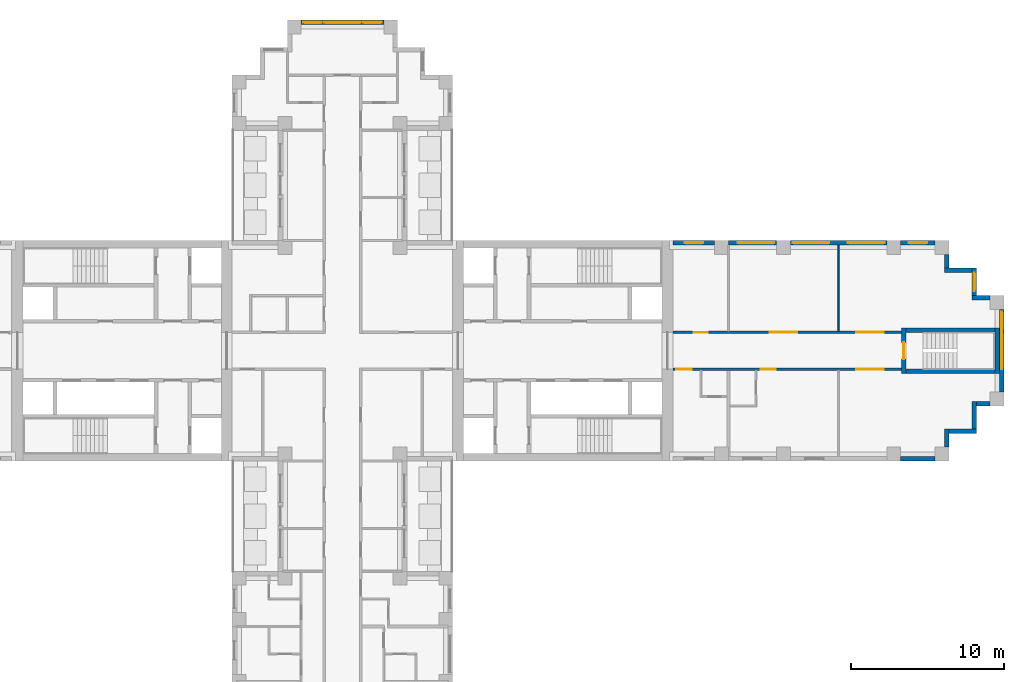
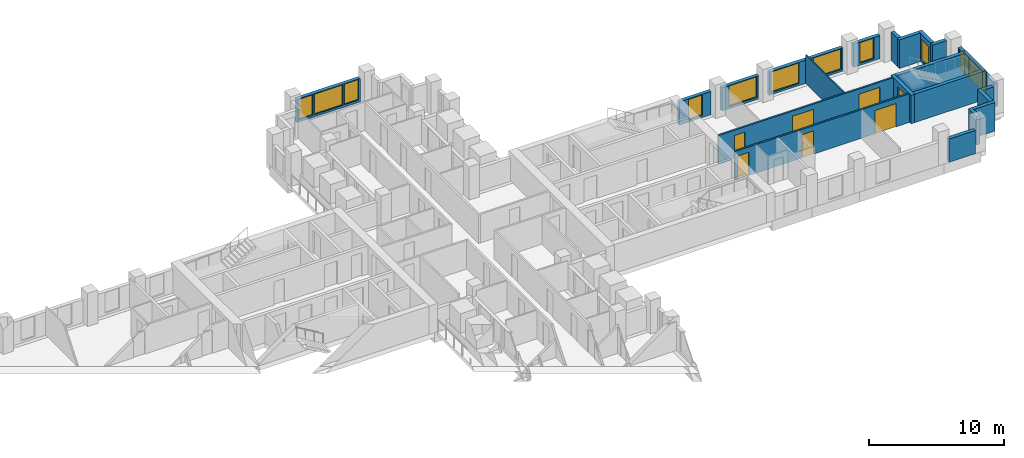
# One storey, part 11 of 14: 22 walls, 11 windows, 7 doors, 18 openings.
"""IFC4 building model written with IfcOpenShell, lengths in metres."""

import ifcopenshell
import ifcopenshell.guid

model = None  # the IFC model being written
_history = None  # IfcOwnerHistory: only IFC2X3 demands one
_inside = {}  # id of a spatial element -> (the spatial element, [elements in it])
_under = {}  # id of a project, library or spatial element -> (it, [spatial elements below it])
_declared = {}  # id of a project -> (the project, [libraries it declares])
_typed = {}  # id of a type object -> (the type object, [elements of that type])
_made_of = {}  # id of a material, layer set ... -> (it, [elements and type objects made of it])


def new_model(schema):
    """Start an empty IFC model of exactly this schema.

    Asked for "IFC4X3", IfcOpenShell would pick the latest addendum, in which some entities
    have other attributes; the version numbers below select the first issue.
    IFC2X3 requires an IfcOwnerHistory on every rooted entity: one is made here for all.
    """
    global model, _history
    if schema == "IFC4X3":
        model = ifcopenshell.file(schema_version=(4, 3, 0, 0))
    else:
        model = ifcopenshell.file(schema=schema)
    _inside.clear()
    _under.clear()
    _declared.clear()
    _typed.clear()
    _made_of.clear()
    _history = None
    if model.schema == "IFC2X3":
        org = make("IfcOrganization", Name="unknown")
        user = make(
            "IfcPersonAndOrganization",
            ThePerson=make("IfcPerson", FamilyName="unknown"),
            TheOrganization=org,
        )
        app = make(
            "IfcApplication",
            ApplicationDeveloper=org,
            Version="unknown",
            ApplicationFullName="unknown",
            ApplicationIdentifier="unknown",
        )
        _history = make(
            "IfcOwnerHistory",
            OwningUser=user,
            OwningApplication=app,
            ChangeAction="ADDED",
            CreationDate=0,
        )
    return model


def make(cls, **values):
    """One entity of the class cls with the attributes given. An attribute that is None is left unset."""
    return model.create_entity(
        cls, **{name: value for name, value in values.items() if value is not None}
    )


def rooted(cls, **values):
    """An entity with a GlobalId (a new one), such as an element, a storey or a relation."""
    return make(cls, GlobalId=ifcopenshell.guid.new(), OwnerHistory=_history, **values)


def si_unit(unit_type, name, prefix=None):
    """IfcSIUnit, for example si_unit("LENGTHUNIT", "METRE", prefix="MILLI")."""
    return make("IfcSIUnit", UnitType=unit_type, Prefix=prefix, Name=name)


def assignment(units):
    """IfcUnitAssignment: the units of a project."""
    return None if units is None else make("IfcUnitAssignment", Units=units)


def point(xyz):
    """IfcCartesianPoint."""
    return None if xyz is None else make("IfcCartesianPoint", Coordinates=xyz)


def direction(xyz):
    """IfcDirection."""
    return None if xyz is None else make("IfcDirection", DirectionRatios=xyz)


def frame(location, z_axis=None, x_axis=None):
    """IfcAxis2Placement3D, a coordinate frame: its origin and axes. An axis left out is left unset."""
    return make(
        "IfcAxis2Placement3D",
        Location=point(location),
        Axis=direction(z_axis),
        RefDirection=direction(x_axis),
    )


def frame_2d(location, x_axis=None):
    """IfcAxis2Placement2D, a coordinate frame in the plane: its origin and x axis."""
    return make(
        "IfcAxis2Placement2D", Location=point(location), RefDirection=direction(x_axis)
    )


def origin():
    """The frame at (0, 0, 0) with its axes left unset."""
    return frame((0.0, 0.0, 0.0))


def place(relative_to, where):
    """IfcLocalPlacement: puts the frame where relative to a parent placement (None: the world)."""
    return make(
        "IfcLocalPlacement", PlacementRelTo=relative_to, RelativePlacement=where
    )


def context(
    kind, dimensions, precision=None, world=None, true_north=None, identifier=None
):
    """IfcGeometricRepresentationContext, for example the 3D "Model" context."""
    return make(
        "IfcGeometricRepresentationContext",
        ContextIdentifier=identifier,
        ContextType=kind,
        CoordinateSpaceDimension=dimensions,
        Precision=precision,
        WorldCoordinateSystem=world,
        TrueNorth=true_north,
    )


def subcontext(parent, identifier, kind, view, scale=None):
    """IfcGeometricRepresentationSubContext, for example "Body" below "Model"."""
    return make(
        "IfcGeometricRepresentationSubContext",
        ContextIdentifier=identifier,
        ContextType=kind,
        ParentContext=parent,
        TargetScale=scale,
        TargetView=view,
    )


def project(units=None, contexts=None):
    """IfcProject with its units and contexts."""
    return rooted(
        "IfcProject",
        Name="project",
        RepresentationContexts=contexts,
        UnitsInContext=assignment(units),
    )


def spatial(cls, under=None, at=None, **own):
    """A site, building, storey or space (cls), placed at a placement, below another one or the project."""
    s = rooted(cls, ObjectPlacement=at, **own)
    if under is not None:
        _under.setdefault(under.id(), (under, []))[1].append(s)
    return s


def profile(cls, at=None, kind="AREA", **sizes):
    """A parametric profile (cls). Its sizes go by their IFC names, for example OverallWidth=200.0."""
    return make(cls, ProfileType=kind, Position=at, **sizes)


def rectangle(**sizes):
    """IfcRectangleProfileDef."""
    return profile("IfcRectangleProfileDef", **sizes)


def extrude(swept, where, along, depth):
    """IfcExtrudedAreaSolid: the profile swept, set in the frame where, extruded along a direction by depth."""
    return make(
        "IfcExtrudedAreaSolid",
        SweptArea=swept,
        Position=where,
        ExtrudedDirection=direction(along),
        Depth=depth,
    )


def shape(context_of_items, identifier, shape_type, items):
    """IfcShapeRepresentation: the items that make up one representation, for example the "Body"."""
    return make(
        "IfcShapeRepresentation",
        ContextOfItems=context_of_items,
        RepresentationIdentifier=identifier,
        RepresentationType=shape_type,
        Items=items,
    )


def material(Name=None, Category=None):
    """IfcMaterial."""
    return make("IfcMaterial", Name=Name, Category=Category)


def layer(
    of_material, thickness, ventilated=None, Name=None, Category=None, Priority=None
):
    """IfcMaterialLayer: one layer of a wall or slab, of a material (None: an air gap)."""
    return make(
        "IfcMaterialLayer",
        Material=of_material,
        LayerThickness=thickness,
        IsVentilated=ventilated,
        Name=Name,
        Category=Category,
        Priority=Priority,
    )


def layer_set(layers, Name=None):
    """IfcMaterialLayerSet."""
    return make("IfcMaterialLayerSet", MaterialLayers=layers, LayerSetName=Name)


def made_of(thing, what):
    """Note that an element or type object is made of a material, layer set ...; save() writes the relation."""
    if what is not None:
        _made_of.setdefault(what.id(), (what, []))[1].append(thing)
    return thing


def type_object(cls, material=None, **own):
    """A type object (cls), such as IfcWallType, which elements share."""
    return made_of(rooted(cls, **own), material)


def element(
    cls,
    number,
    at=None,
    inside=None,
    cuts=None,
    type_object=None,
    material=None,
    context=None,
    identifier="Body",
    shape_type=None,
    held_by="IfcProductDefinitionShape",
    body=None,
    shapes=None,
    **own,
):
    """One element of the class cls, such as IfcWall. Its Tag is "e" and its number.

    at: its placement. inside: the storey or other place that contains it. cuts: it is an
    opening in that element (IfcRelVoidsElement). A single representation is given by context,
    identifier, shape_type and body (its items); several are given by shapes. held_by: the class
    of the entity that holds the representations. save() writes the other relations.
    """
    e = rooted(cls, Tag="e%d" % number, ObjectPlacement=at, **own)
    if body is not None:
        shapes = [shape(context, identifier, shape_type, body)]
    if shapes is not None:
        e.Representation = make(held_by, Representations=shapes)
    if inside is not None:
        _inside.setdefault(inside.id(), (inside, []))[1].append(e)
    if cuts is not None:
        rooted(
            "IfcRelVoidsElement", RelatingBuildingElement=cuts, RelatedOpeningElement=e
        )
    if type_object is not None:
        _typed.setdefault(type_object.id(), (type_object, []))[1].append(e)
    return made_of(e, material)


def fill(opening, filler):
    """IfcRelFillsElement: the door or window that sits in an opening."""
    return rooted(
        "IfcRelFillsElement",
        RelatingOpeningElement=opening,
        RelatedBuildingElement=filler,
    )


def aggregate(whole, parts):
    """IfcRelAggregates: a whole, such as a stair, and the parts it consists of."""
    return rooted("IfcRelAggregates", RelatingObject=whole, RelatedObjects=parts)


def save(model, path):
    """Write the relations noted so far, then the file.

    IfcRelAggregates (storeys below a building ...), IfcRelContainedInSpatialStructure (elements
    in a storey), IfcRelDefinesByType, IfcRelAssociatesMaterial and IfcRelDeclares: one each for
    every whole, place, type object, material and project.
    """
    for whole, parts in _under.values():
        aggregate(whole, parts)
    for where, things in _inside.values():
        rooted(
            "IfcRelContainedInSpatialStructure",
            RelatedElements=things,
            RelatingStructure=where,
        )
    for kind, things in _typed.values():
        rooted("IfcRelDefinesByType", RelatedObjects=things, RelatingType=kind)
    for what, things in _made_of.values():
        rooted("IfcRelAssociatesMaterial", RelatedObjects=things, RelatingMaterial=what)
    for by, libraries in _declared.values():
        rooted("IfcRelDeclares", RelatingContext=by, RelatedDefinitions=libraries)
    model.write(path)


model = new_model("IFC4")

# Units and contexts
model_context = context("Model", 3, precision=1e-05, world=origin(), true_north=direction((0.0, 1.0)))
body_context = subcontext(model_context, "Body", "Model", "MODEL_VIEW")
ifc_project = project(units=[si_unit("LENGTHUNIT", "METRE"), si_unit("AREAUNIT", "SQUARE_METRE"), si_unit("VOLUMEUNIT", "CUBIC_METRE"), si_unit("PLANEANGLEUNIT", "RADIAN"), si_unit("MASSUNIT", "GRAM", prefix="KILO")], contexts=[model_context])

# Site, building, storey
site_placement = place(None, origin())
site = spatial("IfcSite", under=ifc_project, at=site_placement, CompositionType="ELEMENT")
building_placement = place(site_placement, origin())
building = spatial("IfcBuilding", under=site, at=building_placement, Name="Fustian Cross Tower", CompositionType="ELEMENT")
storey_placement = place(building_placement, frame((0.0, 0.0, 69.89990234375)))
storey = spatial("IfcBuildingStorey", under=building, at=storey_placement, Name="L21", CompositionType="ELEMENT", Elevation=69.89990234375)

# Wall, openings, doors
ifc_material_1 = material(Name="Plasterboard on steel stud", Category="steel")
ifc_layer_1 = layer(ifc_material_1, 0.14990234375)
ifc_layer_set_1 = layer_set([ifc_layer_1], Name="Plasterboard on steel stud")
wall_type_1 = type_object("IfcWallType", Name="COMPARTMENT WALL 150 EI 60", PredefinedType="PARTITIONING", material=ifc_layer_set_1)
wall_1_placement = place(storey_placement, frame((21.60009765625, -1.199951171875, 0.0), z_axis=(0.0, 0.0, 1.0), x_axis=(1.0, 0.0, 0.0)))
wall_1 = element("IfcWall", 1, at=wall_1_placement, inside=storey, type_object=wall_type_1, Name="Partition 84", PredefinedType="PARTITIONING", context=body_context, shape_type="SweptSolid", body=[
    extrude(rectangle(XDim=14.89990234375, YDim=0.14990234375, at=frame_2d((7.449951171875, 0.0))), origin(), (0.0, 0.0, 1.0), 2.5751953125),
])
opening_1_placement = place(wall_1_placement, frame((0.199951171875, 0.0, 0.0)))
opening_1 = element("IfcOpeningElement", 2, at=opening_1_placement, cuts=wall_1, Name="Opening D11013", PredefinedType="OPENING", context=body_context, shape_type="SweptSolid", body=[
    extrude(rectangle(XDim=1.0, YDim=2.10009765625, at=frame_2d((0.5, 1.050048828125))), frame((0.0, 0.0849609375, 0.0), z_axis=(0.0, -1.0, 0.0), x_axis=(1.0, 0.0, 0.0)), (0.0, 0.0, 1.0), 0.169921875),
])
opening_2_placement = place(wall_1_placement, frame((5.7099609375, 0.0, 0.0)))
opening_2 = element("IfcOpeningElement", 3, at=opening_2_placement, cuts=wall_1, Name="Opening D11015", PredefinedType="OPENING", context=body_context, shape_type="SweptSolid", body=[
    extrude(rectangle(XDim=1.0, YDim=2.10009765625, at=frame_2d((0.5, 1.050048828125))), frame((0.0, 0.0849609375, 0.0), z_axis=(0.0, -1.0, 0.0), x_axis=(1.0, 0.0, 0.0)), (0.0, 0.0, 1.0), 0.169921875),
])
opening_3_placement = place(wall_1_placement, frame((11.949951171875, 0.0, 0.0)))
opening_3 = element("IfcOpeningElement", 4, at=opening_3_placement, cuts=wall_1, Name="Opening D11016", PredefinedType="OPENING", context=body_context, shape_type="SweptSolid", body=[
    extrude(rectangle(XDim=1.800048828125, YDim=2.10009765625, at=frame_2d((0.89990234375, 1.050048828125))), frame((0.0, 0.0849609375, 0.0), z_axis=(0.0, -1.0, 0.0), x_axis=(1.0, 0.0, 0.0)), (0.0, 0.0, 1.0), 0.169921875),
])
ifc_material_2 = material(Name="Timber fire door set", Category="wood")
door_type_1 = type_object("IfcDoorType", Name="FIRE DOUBLE DOOR 1800 FD30S", OperationType="DOUBLE_DOOR_DOUBLE_SWING", PredefinedType="DOOR", material=ifc_material_2)
door_1_placement = place(opening_3_placement, origin())
door_1 = element("IfcDoor", 5, at=door_1_placement, inside=storey, type_object=door_type_1, Name="Door D11016", OperationType="DOUBLE_DOOR_DOUBLE_SWING", OverallHeight=2.10009765625, OverallWidth=1.800048828125, PredefinedType="DOOR", context=body_context, shape_type="SweptSolid", body=[
    extrude(rectangle(XDim=1.800048828125, YDim=2.10009765625, at=frame_2d((0.89990234375, 1.050048828125))), frame((0.0, 0.02490234375, 0.0), z_axis=(0.0, -1.0, 0.0), x_axis=(1.0, 0.0, 0.0)), (0.0, 0.0, 1.0), 0.050048828125),
])
fill(opening_3, door_1)
ifc_material_3 = material(Name="Timber fire door set", Category="wood")
door_type_2 = type_object("IfcDoorType", Name="FIRE SWING DOOR 1000 FD30S", OperationType="SINGLE_SWING_LEFT", PredefinedType="DOOR", material=ifc_material_3)
door_2_placement = place(opening_1_placement, frame((1.0, 0.0, 0.0), z_axis=(0.0, 0.0, 1.0), x_axis=(-1.0, 0.0, 0.0)))
door_2 = element("IfcDoor", 6, at=door_2_placement, inside=storey, type_object=door_type_2, Name="Door D11013", OperationType="SINGLE_SWING_RIGHT", OverallHeight=2.10009765625, OverallWidth=1.0, PredefinedType="DOOR", context=body_context, shape_type="SweptSolid", body=[
    extrude(rectangle(XDim=1.0, YDim=2.10009765625, at=frame_2d((0.5, 1.050048828125))), frame((0.0, 0.02490234375, 0.0), z_axis=(0.0, -1.0, 0.0), x_axis=(1.0, 0.0, 0.0)), (0.0, 0.0, 1.0), 0.050048828125),
])
fill(opening_1, door_2)
door_3_placement = place(opening_2_placement, frame((1.0, 0.0, 0.0), z_axis=(0.0, 0.0, 1.0), x_axis=(-1.0, 0.0, 0.0)))
door_3 = element("IfcDoor", 7, at=door_3_placement, inside=storey, type_object=door_type_2, Name="Door D11015", OperationType="SINGLE_SWING_RIGHT", OverallHeight=2.10009765625, OverallWidth=1.0, PredefinedType="DOOR", context=body_context, shape_type="SweptSolid", body=[
    extrude(rectangle(XDim=1.0, YDim=2.10009765625, at=frame_2d((0.5, 1.050048828125))), frame((0.0, 0.02490234375, 0.0), z_axis=(0.0, -1.0, 0.0), x_axis=(1.0, 0.0, 0.0)), (0.0, 0.0, 1.0), 0.050048828125),
])
fill(opening_2, door_3)

wall_2_placement = place(storey_placement, frame((21.60009765625, 1.199951171875, 0.0), z_axis=(0.0, 0.0, 1.0), x_axis=(1.0, 0.0, 0.0)))
wall_2 = element("IfcWall", 8, at=wall_2_placement, inside=storey, type_object=wall_type_1, Name="Partition 85", PredefinedType="PARTITIONING", context=body_context, shape_type="SweptSolid", body=[
    extrude(rectangle(XDim=14.89990234375, YDim=0.14990234375, at=frame_2d((7.449951171875, 0.0))), origin(), (0.0, 0.0, 1.0), 2.5751953125),
])
opening_4_placement = place(wall_2_placement, frame((1.35009765625, 0.0, 0.0)))
opening_4 = element("IfcOpeningElement", 9, at=opening_4_placement, cuts=wall_2, Name="Opening D11009", PredefinedType="OPENING", context=body_context, shape_type="SweptSolid", body=[
    extrude(rectangle(XDim=0.89990234375, YDim=2.10009765625, at=frame_2d((0.449951171875, 1.050048828125))), frame((0.0, 0.0849609375, 0.0), z_axis=(0.0, -1.0, 0.0), x_axis=(1.0, 0.0, 0.0)), (0.0, 0.0, 1.0), 0.169921875),
])
opening_5_placement = place(wall_2_placement, frame((6.300048828125, 0.0, 0.0)))
opening_5 = element("IfcOpeningElement", 10, at=opening_5_placement, cuts=wall_2, Name="Opening D11010", PredefinedType="OPENING", context=body_context, shape_type="SweptSolid", body=[
    extrude(rectangle(XDim=1.800048828125, YDim=2.10009765625, at=frame_2d((0.89990234375, 1.050048828125))), frame((0.0, 0.0849609375, 0.0), z_axis=(0.0, -1.0, 0.0), x_axis=(1.0, 0.0, 0.0)), (0.0, 0.0, 1.0), 0.169921875),
])
opening_6_placement = place(wall_2_placement, frame((11.949951171875, 0.0, 0.0)))
opening_6 = element("IfcOpeningElement", 11, at=opening_6_placement, cuts=wall_2, Name="Opening D11011", PredefinedType="OPENING", context=body_context, shape_type="SweptSolid", body=[
    extrude(rectangle(XDim=1.800048828125, YDim=2.10009765625, at=frame_2d((0.89990234375, 1.050048828125))), frame((0.0, 0.0849609375, 0.0), z_axis=(0.0, -1.0, 0.0), x_axis=(1.0, 0.0, 0.0)), (0.0, 0.0, 1.0), 0.169921875),
])
door_4_placement = place(opening_5_placement, frame((1.800048828125, 0.0, 0.0), z_axis=(0.0, 0.0, 1.0), x_axis=(-1.0, 0.0, 0.0)))
door_4 = element("IfcDoor", 12, at=door_4_placement, inside=storey, type_object=door_type_1, Name="Door D11010", OperationType="DOUBLE_DOOR_DOUBLE_SWING", OverallHeight=2.10009765625, OverallWidth=1.800048828125, PredefinedType="DOOR", context=body_context, shape_type="SweptSolid", body=[
    extrude(rectangle(XDim=1.800048828125, YDim=2.10009765625, at=frame_2d((0.89990234375, 1.050048828125))), frame((0.0, 0.02490234375, 0.0), z_axis=(0.0, -1.0, 0.0), x_axis=(1.0, 0.0, 0.0)), (0.0, 0.0, 1.0), 0.050048828125),
])
fill(opening_5, door_4)
door_5_placement = place(opening_6_placement, frame((1.800048828125, 0.0, 0.0), z_axis=(0.0, 0.0, 1.0), x_axis=(-1.0, 0.0, 0.0)))
door_5 = element("IfcDoor", 13, at=door_5_placement, inside=storey, type_object=door_type_1, Name="Door D11011", OperationType="DOUBLE_DOOR_DOUBLE_SWING", OverallHeight=2.10009765625, OverallWidth=1.800048828125, PredefinedType="DOOR", context=body_context, shape_type="SweptSolid", body=[
    extrude(rectangle(XDim=1.800048828125, YDim=2.10009765625, at=frame_2d((0.89990234375, 1.050048828125))), frame((0.0, 0.02490234375, 0.0), z_axis=(0.0, -1.0, 0.0), x_axis=(1.0, 0.0, 0.0)), (0.0, 0.0, 1.0), 0.050048828125),
])
fill(opening_6, door_5)
ifc_material_4 = material(Name="Timber fire door set", Category="wood")
door_type_3 = type_object("IfcDoorType", Name="FIRE SWING DOOR 900 FD30S", OperationType="SINGLE_SWING_LEFT", PredefinedType="DOOR", material=ifc_material_4)
door_6_placement = place(opening_4_placement, origin())
door_6 = element("IfcDoor", 14, at=door_6_placement, inside=storey, type_object=door_type_3, Name="Door D11009", OperationType="SINGLE_SWING_LEFT", OverallHeight=2.10009765625, OverallWidth=0.89990234375, PredefinedType="DOOR", context=body_context, shape_type="SweptSolid", body=[
    extrude(rectangle(XDim=0.89990234375, YDim=2.10009765625, at=frame_2d((0.449951171875, 1.050048828125))), frame((0.0, 0.02490234375, 0.0), z_axis=(0.0, -1.0, 0.0), x_axis=(1.0, 0.0, 0.0)), (0.0, 0.0, 1.0), 0.050048828125),
])
fill(opening_4, door_6)

# Wall
ifc_material_5 = material(Name="Plasterboard on steel stud", Category="steel")
ifc_layer_2 = layer(ifc_material_5, 0.10009765625)
ifc_layer_set_2 = layer_set([ifc_layer_2], Name="Plasterboard on steel stud")
wall_type_2 = type_object("IfcWallType", Name="PARTITION 100 STUD", PredefinedType="PARTITIONING", material=ifc_layer_set_2)
wall_3_placement = place(storey_placement, frame((32.39990234375, 1.27490234375, 0.0), z_axis=(0.0, 0.0, 1.0), x_axis=(0.0, 1.0, 0.0)))
element("IfcWall", 15, at=wall_3_placement, inside=storey, type_object=wall_type_2, Name="Partition 93", PredefinedType="PARTITIONING", context=body_context, shape_type="SweptSolid", body=[
    extrude(rectangle(XDim=5.625, YDim=0.10009765625, at=frame_2d((2.8125, 0.0))), origin(), (0.0, 0.0, 1.0), 2.5751953125),
])

# Wall, opening, door
ifc_material_6 = material(Name="Concrete C50/60", Category="concrete")
ifc_layer_3 = layer(ifc_material_6, 0.300048828125)
ifc_layer_set_3 = layer_set([ifc_layer_3], Name="Concrete C50/60")
wall_type_3 = type_object("IfcWallType", Name="STAIR ENCLOSURE WALL 300 C50/60", PredefinedType="SHEAR", material=ifc_layer_set_3)
wall_4_placement = place(storey_placement, frame((36.64990234375, -1.5, 0.0), z_axis=(0.0, 0.0, 1.0), x_axis=(0.0, 1.0, 0.0)))
wall_4 = element("IfcWall", 16, at=wall_4_placement, inside=storey, type_object=wall_type_3, Name="Stair enclosure wall", PredefinedType="SHEAR", context=body_context, shape_type="SweptSolid", body=[
    extrude(rectangle(XDim=3.0, YDim=0.300048828125, at=frame_2d((1.5, 0.0))), origin(), (0.0, 0.0, 1.0), 2.5751953125),
])
opening_7_placement = place(wall_4_placement, frame((0.949951171875, 0.0, 0.0)))
opening_7 = element("IfcOpeningElement", 17, at=opening_7_placement, cuts=wall_4, Name="Opening CD-09-30", PredefinedType="OPENING", context=body_context, shape_type="SweptSolid", body=[
    extrude(rectangle(XDim=1.10009765625, YDim=2.10009765625, at=frame_2d((0.550048828125, 1.050048828125))), frame((0.0, 0.159912109375, 0.0), z_axis=(0.0, -1.0, 0.0), x_axis=(1.0, 0.0, 0.0)), (0.0, 0.0, 1.0), 0.320068359375),
])
ifc_material_7 = material(Name="Steel", Category="steel")
door_type_4 = type_object("IfcDoorType", Name="FIRE DOOR FD60S 1100X2100", OperationType="SINGLE_SWING_LEFT", PredefinedType="DOOR", material=ifc_material_7)
door_7_placement = place(opening_7_placement, frame((1.10009765625, 0.0, 0.0), z_axis=(0.0, 0.0, 1.0), x_axis=(-1.0, 0.0, 0.0)))
door_7 = element("IfcDoor", 18, at=door_7_placement, inside=storey, type_object=door_type_4, Name="Core door CD-09-30", OperationType="SINGLE_SWING_RIGHT", OverallHeight=2.10009765625, OverallWidth=1.10009765625, PredefinedType="DOOR", context=body_context, shape_type="SweptSolid", body=[
    extrude(rectangle(XDim=1.10009765625, YDim=2.10009765625, at=frame_2d((0.550048828125, 1.050048828125))), frame((0.0, 0.02490234375, 0.0), z_axis=(0.0, -1.0, 0.0), x_axis=(1.0, 0.0, 0.0)), (0.0, 0.0, 1.0), 0.050048828125),
])
fill(opening_7, door_7)

# Walls
wall_5_placement = place(storey_placement, frame((42.75, -1.5, 0.0), z_axis=(0.0, 0.0, 1.0), x_axis=(0.0, 1.0, 0.0)))
element("IfcWall", 19, at=wall_5_placement, inside=storey, type_object=wall_type_3, Name="Stair enclosure wall", PredefinedType="SHEAR", context=body_context, shape_type="SweptSolid", body=[
    extrude(rectangle(XDim=3.0, YDim=0.300048828125, at=frame_2d((1.5, 0.0))), origin(), (0.0, 0.0, 1.0), 2.5751953125),
])
for number, where, z_axis, x_axis, name in (
    (20, (36.800048828125, -1.35009765625, 0.0), (0.0, 0.0, 1.0), (1.0, 0.0, 0.0), "Stair enclosure wall"),
    (21, (36.800048828125, 1.35009765625, 0.0), (0.0, 0.0, 1.0), (1.0, 0.0, 0.0), "Stair enclosure wall"),
):
    element("IfcWall", number, at=place(storey_placement, frame(where, z_axis=z_axis, x_axis=x_axis)), inside=storey, type_object=wall_type_3, Name=name, PredefinedType="SHEAR", context=body_context, shape_type="SweptSolid", body=[
        extrude(rectangle(XDim=5.800048828125, YDim=0.300048828125, at=frame_2d((2.89990234375, 0.0))), origin(), (0.0, 0.0, 1.0), 2.5751953125),
    ])
ifc_material_8 = material(Name="Dark aluminium cladding on insulated backing wall", Category="aluminium")
ifc_layer_4 = layer(ifc_material_8, 0.300048828125)
ifc_layer_set_4 = layer_set([ifc_layer_4], Name="Dark aluminium cladding on insulated backing wall")
wall_type_4 = type_object("IfcWallType", Name="XW1 EXTERNAL WALL 300", PredefinedType="SOLIDWALL", material=ifc_layer_set_4)
wall_6_placement = place(storey_placement, frame((36.449951171875, -7.050048828125, 0.0), z_axis=(0.0, 0.0, 1.0), x_axis=(1.0, 0.0, 0.0)))
element("IfcWall", 22, at=wall_6_placement, inside=storey, type_object=wall_type_4, Name="External wall", PredefinedType="SOLIDWALL", context=body_context, shape_type="SweptSolid", body=[
    extrude(rectangle(XDim=2.25, YDim=0.300048828125, at=frame_2d((1.125, 0.0))), origin(), (0.0, 0.0, 1.0), 2.10009765625),
])
wall_7_placement = place(storey_placement, frame((39.449951171875, -6.300048828125, 0.0), z_axis=(0.0, 0.0, 1.0), x_axis=(0.0, 1.0, 0.0)))
element("IfcWall", 23, at=wall_7_placement, inside=storey, type_object=wall_type_4, Name="External wall", PredefinedType="SOLIDWALL", context=body_context, shape_type="SweptSolid", body=[
    extrude(rectangle(XDim=1.199951171875, YDim=0.300048828125, at=frame_2d((0.60009765625, 0.0))), origin(), (0.0, 0.0, 1.0), 2.5751953125),
])
wall_8_placement = place(storey_placement, frame((39.60009765625, -5.25, 0.0), z_axis=(0.0, 0.0, 1.0), x_axis=(1.0, 0.0, 0.0)))
element("IfcWall", 24, at=wall_8_placement, inside=storey, type_object=wall_type_4, Name="External wall", PredefinedType="SOLIDWALL", context=body_context, shape_type="SweptSolid", body=[
    extrude(rectangle(XDim=1.7998046875, YDim=0.300048828125, at=frame_2d((0.89990234375, 0.0))), origin(), (0.0, 0.0, 1.0), 2.5751953125),
])
wall_9_placement = place(storey_placement, frame((41.25, -5.10009765625, 0.0), z_axis=(0.0, 0.0, 1.0), x_axis=(0.0, 1.0, 0.0)))
element("IfcWall", 25, at=wall_9_placement, inside=storey, type_object=wall_type_4, Name="External wall", PredefinedType="SOLIDWALL", context=body_context, shape_type="SweptSolid", body=[
    extrude(rectangle(XDim=1.800048828125, YDim=0.300048828125, at=frame_2d((0.89990234375, 0.0))), origin(), (0.0, 0.0, 1.0), 2.5751953125),
])
wall_10_placement = place(storey_placement, frame((41.39990234375, -3.449951171875, 0.0), z_axis=(0.0, 0.0, 1.0), x_axis=(1.0, 0.0, 0.0)))
element("IfcWall", 26, at=wall_10_placement, inside=storey, type_object=wall_type_4, Name="External wall", PredefinedType="SOLIDWALL", context=body_context, shape_type="SweptSolid", body=[
    extrude(rectangle(XDim=0.900146484375, YDim=0.300048828125, at=frame_2d((0.4501953125, 0.0))), origin(), (0.0, 0.0, 1.0), 2.5751953125),
])

# Wall, openings, windows
wall_11_placement = place(storey_placement, frame((43.050048828125, -2.699951171875, 0.0), z_axis=(0.0, 0.0, 1.0), x_axis=(0.0, 1.0, 0.0)))
wall_11 = element("IfcWall", 27, at=wall_11_placement, inside=storey, type_object=wall_type_4, Name="External wall", PredefinedType="SOLIDWALL", context=body_context, shape_type="SweptSolid", body=[
    extrude(rectangle(XDim=5.39990234375, YDim=0.300048828125, at=frame_2d((2.699951171875, 0.0))), origin(), (0.0, 0.0, 1.0), 2.10009765625),
])
opening_8_placement = place(wall_11_placement, frame((1.5, 0.0, 0.199951171875)))
opening_8 = element("IfcOpeningElement", 28, at=opening_8_placement, cuts=wall_11, Name="Opening WN1", PredefinedType="OPENING", context=body_context, shape_type="SweptSolid", body=[
    extrude(rectangle(XDim=2.39990234375, YDim=1.85009765625, at=frame_2d((1.199951171875, 0.925048828125))), frame((0.0, 0.159912109375, 0.0), z_axis=(0.0, -1.0, 0.0), x_axis=(1.0, 0.0, 0.0)), (0.0, 0.0, 1.0), 0.320068359375),
])
opening_9_placement = place(wall_11_placement, frame((4.050048828125, 0.0, 0.199951171875)))
opening_9 = element("IfcOpeningElement", 29, at=opening_9_placement, cuts=wall_11, Name="Opening WN3", PredefinedType="OPENING", context=body_context, shape_type="SweptSolid", body=[
    extrude(rectangle(XDim=1.199951171875, YDim=1.85009765625, at=frame_2d((0.60009765625, 0.925048828125))), frame((0.0, 0.159912109375, 0.0), z_axis=(0.0, -1.0, 0.0), x_axis=(1.0, 0.0, 0.0)), (0.0, 0.0, 1.0), 0.320068359375),
])
ifc_material_9 = material(Name="Dark anodised aluminium and double glazing", Category="aluminium")
window_type_1 = type_object("IfcWindowType", Name="WN1 WINDOW 2400X1850", PartitioningType="SINGLE_PANEL", PredefinedType="WINDOW", material=ifc_material_9)
window_1_placement = place(opening_8_placement, origin())
window_1 = element("IfcWindow", 30, at=window_1_placement, inside=storey, type_object=window_type_1, Name="Window", OverallHeight=1.85009765625, OverallWidth=2.39990234375, PartitioningType="SINGLE_PANEL", PredefinedType="WINDOW", context=body_context, shape_type="SweptSolid", body=[
    extrude(rectangle(XDim=2.39990234375, YDim=1.85009765625, at=frame_2d((1.199951171875, 0.925048828125))), frame((0.0, 0.030029296875, 0.0), z_axis=(0.0, -1.0, 0.0), x_axis=(1.0, 0.0, 0.0)), (0.0, 0.0, 1.0), 0.06005859375),
])
fill(opening_8, window_1)
ifc_material_10 = material(Name="Dark anodised aluminium and double glazing", Category="aluminium")
window_type_2 = type_object("IfcWindowType", Name="WN3 WINDOW 1200X1850", PartitioningType="SINGLE_PANEL", PredefinedType="WINDOW", material=ifc_material_10)
window_2_placement = place(opening_9_placement, origin())
window_2 = element("IfcWindow", 31, at=window_2_placement, inside=storey, type_object=window_type_2, Name="Window", OverallHeight=1.85009765625, OverallWidth=1.199951171875, PartitioningType="SINGLE_PANEL", PredefinedType="WINDOW", context=body_context, shape_type="SweptSolid", body=[
    extrude(rectangle(XDim=1.199951171875, YDim=1.85009765625, at=frame_2d((0.60009765625, 0.925048828125))), frame((0.0, 0.030029296875, 0.0), z_axis=(0.0, -1.0, 0.0), x_axis=(1.0, 0.0, 0.0)), (0.0, 0.0, 1.0), 0.06005859375),
])
fill(opening_9, window_2)

# Wall
wall_12_placement = place(storey_placement, frame((42.300048828125, 3.449951171875, 0.0), z_axis=(0.0, 0.0, 1.0), x_axis=(-1.0, 0.0, 0.0)))
element("IfcWall", 32, at=wall_12_placement, inside=storey, type_object=wall_type_4, Name="External wall", PredefinedType="SOLIDWALL", context=body_context, shape_type="SweptSolid", body=[
    extrude(rectangle(XDim=1.199951171875, YDim=0.300048828125, at=frame_2d((0.60009765625, 0.0))), origin(), (0.0, 0.0, 1.0), 2.5751953125),
])

# Wall, opening, window
wall_13_placement = place(storey_placement, frame((41.25, 3.60009765625, 0.0), z_axis=(0.0, 0.0, 1.0), x_axis=(0.0, 1.0, 0.0)))
wall_13 = element("IfcWall", 33, at=wall_13_placement, inside=storey, type_object=wall_type_4, Name="External wall", PredefinedType="SOLIDWALL", context=body_context, shape_type="SweptSolid", body=[
    extrude(rectangle(XDim=1.7998046875, YDim=0.300048828125, at=frame_2d((0.89990234375, 0.0))), origin(), (0.0, 0.0, 1.0), 2.5751953125),
])
opening_10_placement = place(wall_13_placement, frame((0.300048828125, 0.0, 0.199951171875)))
opening_10 = element("IfcOpeningElement", 34, at=opening_10_placement, cuts=wall_13, Name="Opening WN3", PredefinedType="OPENING", context=body_context, shape_type="SweptSolid", body=[
    extrude(rectangle(XDim=1.199951171875, YDim=1.85009765625, at=frame_2d((0.60009765625, 0.925048828125))), frame((0.0, 0.159912109375, 0.0), z_axis=(0.0, -1.0, 0.0), x_axis=(1.0, 0.0, 0.0)), (0.0, 0.0, 1.0), 0.320068359375),
])
window_3_placement = place(opening_10_placement, origin())
window_3 = element("IfcWindow", 35, at=window_3_placement, inside=storey, type_object=window_type_2, Name="Window", OverallHeight=1.85009765625, OverallWidth=1.199951171875, PartitioningType="SINGLE_PANEL", PredefinedType="WINDOW", context=body_context, shape_type="SweptSolid", body=[
    extrude(rectangle(XDim=1.199951171875, YDim=1.85009765625, at=frame_2d((0.60009765625, 0.925048828125))), frame((0.0, 0.030029296875, 0.0), z_axis=(0.0, -1.0, 0.0), x_axis=(1.0, 0.0, 0.0)), (0.0, 0.0, 1.0), 0.06005859375),
])
fill(opening_10, window_3)

# Walls
wall_14_placement = place(storey_placement, frame((41.10009765625, 5.25, 0.0), z_axis=(0.0, 0.0, 1.0), x_axis=(-1.0, 0.0, 0.0)))
element("IfcWall", 36, at=wall_14_placement, inside=storey, type_object=wall_type_4, Name="External wall", PredefinedType="SOLIDWALL", context=body_context, shape_type="SweptSolid", body=[
    extrude(rectangle(XDim=1.800048828125, YDim=0.300048828125, at=frame_2d((0.89990234375, 0.0))), origin(), (0.0, 0.0, 1.0), 2.5751953125),
])
wall_15_placement = place(storey_placement, frame((39.449951171875, 5.39990234375, 0.0), z_axis=(0.0, 0.0, 1.0), x_axis=(0.0, 1.0, 0.0)))
element("IfcWall", 37, at=wall_15_placement, inside=storey, type_object=wall_type_4, Name="External wall", PredefinedType="SOLIDWALL", context=body_context, shape_type="SweptSolid", body=[
    extrude(rectangle(XDim=0.900146484375, YDim=0.300048828125, at=frame_2d((0.4501953125, 0.0))), origin(), (0.0, 0.0, 1.0), 2.5751953125),
])

# Wall, opening, window
wall_16_placement = place(storey_placement, frame((38.699951171875, 7.050048828125, 0.0), z_axis=(0.0, 0.0, 1.0), x_axis=(-1.0, 0.0, 0.0)))
wall_16 = element("IfcWall", 38, at=wall_16_placement, inside=storey, type_object=wall_type_4, Name="External wall", PredefinedType="SOLIDWALL", context=body_context, shape_type="SweptSolid", body=[
    extrude(rectangle(XDim=2.25, YDim=0.300048828125, at=frame_2d((1.125, 0.0))), origin(), (0.0, 0.0, 1.0), 2.10009765625),
])
opening_11_placement = place(wall_16_placement, frame((0.52490234375, 0.0, 0.199951171875)))
opening_11 = element("IfcOpeningElement", 39, at=opening_11_placement, cuts=wall_16, Name="Opening WN3", PredefinedType="OPENING", context=body_context, shape_type="SweptSolid", body=[
    extrude(rectangle(XDim=1.199951171875, YDim=1.85009765625, at=frame_2d((0.60009765625, 0.925048828125))), frame((0.0, 0.159912109375, 0.0), z_axis=(0.0, -1.0, 0.0), x_axis=(1.0, 0.0, 0.0)), (0.0, 0.0, 1.0), 0.320068359375),
])
window_4_placement = place(opening_11_placement, origin())
window_4 = element("IfcWindow", 40, at=window_4_placement, inside=storey, type_object=window_type_2, Name="Window", OverallHeight=1.85009765625, OverallWidth=1.199951171875, PartitioningType="SINGLE_PANEL", PredefinedType="WINDOW", context=body_context, shape_type="SweptSolid", body=[
    extrude(rectangle(XDim=1.199951171875, YDim=1.85009765625, at=frame_2d((0.60009765625, 0.925048828125))), frame((0.0, 0.030029296875, 0.0), z_axis=(0.0, -1.0, 0.0), x_axis=(1.0, 0.0, 0.0)), (0.0, 0.0, 1.0), 0.06005859375),
])
fill(opening_11, window_4)

# Wall, openings, windows
wall_17_placement = place(storey_placement, frame((35.550048828125, 7.050048828125, 0.0), z_axis=(0.0, 0.0, 1.0), x_axis=(-1.0, 0.0, 0.0)))
wall_17 = element("IfcWall", 41, at=wall_17_placement, inside=storey, type_object=wall_type_4, Name="External wall", PredefinedType="SOLIDWALL", context=body_context, shape_type="SweptSolid", body=[
    extrude(rectangle(XDim=6.300048828125, YDim=0.300048828125, at=frame_2d((3.14990234375, 0.0))), origin(), (0.0, 0.0, 1.0), 2.10009765625),
])
opening_12_placement = place(wall_17_placement, frame((0.14990234375, 0.0, 0.199951171875)))
opening_12 = element("IfcOpeningElement", 42, at=opening_12_placement, cuts=wall_17, Name="Opening WN1", PredefinedType="OPENING", context=body_context, shape_type="SweptSolid", body=[
    extrude(rectangle(XDim=2.39990234375, YDim=1.85009765625, at=frame_2d((1.199951171875, 0.925048828125))), frame((0.0, 0.159912109375, 0.0), z_axis=(0.0, -1.0, 0.0), x_axis=(1.0, 0.0, 0.0)), (0.0, 0.0, 1.0), 0.320068359375),
])
opening_13_placement = place(wall_17_placement, frame((3.75, 0.0, 0.199951171875)))
opening_13 = element("IfcOpeningElement", 43, at=opening_13_placement, cuts=wall_17, Name="Opening WN1", PredefinedType="OPENING", context=body_context, shape_type="SweptSolid", body=[
    extrude(rectangle(XDim=2.39990234375, YDim=1.85009765625, at=frame_2d((1.199951171875, 0.925048828125))), frame((0.0, 0.159912109375, 0.0), z_axis=(0.0, -1.0, 0.0), x_axis=(1.0, 0.0, 0.0)), (0.0, 0.0, 1.0), 0.320068359375),
])
window_5_placement = place(opening_12_placement, origin())
window_5 = element("IfcWindow", 44, at=window_5_placement, inside=storey, type_object=window_type_1, Name="Window", OverallHeight=1.85009765625, OverallWidth=2.39990234375, PartitioningType="SINGLE_PANEL", PredefinedType="WINDOW", context=body_context, shape_type="SweptSolid", body=[
    extrude(rectangle(XDim=2.39990234375, YDim=1.85009765625, at=frame_2d((1.199951171875, 0.925048828125))), frame((0.0, 0.030029296875, 0.0), z_axis=(0.0, -1.0, 0.0), x_axis=(1.0, 0.0, 0.0)), (0.0, 0.0, 1.0), 0.06005859375),
])
fill(opening_12, window_5)
window_6_placement = place(opening_13_placement, origin())
window_6 = element("IfcWindow", 45, at=window_6_placement, inside=storey, type_object=window_type_1, Name="Window", OverallHeight=1.85009765625, OverallWidth=2.39990234375, PartitioningType="SINGLE_PANEL", PredefinedType="WINDOW", context=body_context, shape_type="SweptSolid", body=[
    extrude(rectangle(XDim=2.39990234375, YDim=1.85009765625, at=frame_2d((1.199951171875, 0.925048828125))), frame((0.0, 0.030029296875, 0.0), z_axis=(0.0, -1.0, 0.0), x_axis=(1.0, 0.0, 0.0)), (0.0, 0.0, 1.0), 0.06005859375),
])
fill(opening_13, window_6)

# Wall, opening, window
wall_18_placement = place(storey_placement, frame((28.35009765625, 7.050048828125, 0.0), z_axis=(0.0, 0.0, 1.0), x_axis=(-1.0, 0.0, 0.0)))
wall_18 = element("IfcWall", 46, at=wall_18_placement, inside=storey, type_object=wall_type_4, Name="External wall", PredefinedType="SOLIDWALL", context=body_context, shape_type="SweptSolid", body=[
    extrude(rectangle(XDim=3.150146484375, YDim=0.300048828125, at=frame_2d((1.5751953125, 0.0))), origin(), (0.0, 0.0, 1.0), 2.10009765625),
])
opening_14_placement = place(wall_18_placement, frame((0.14990234375, 0.0, 0.199951171875)))
opening_14 = element("IfcOpeningElement", 47, at=opening_14_placement, cuts=wall_18, Name="Opening WN1", PredefinedType="OPENING", context=body_context, shape_type="SweptSolid", body=[
    extrude(rectangle(XDim=2.39990234375, YDim=1.85009765625, at=frame_2d((1.199951171875, 0.925048828125))), frame((0.0, 0.159912109375, 0.0), z_axis=(0.0, -1.0, 0.0), x_axis=(1.0, 0.0, 0.0)), (0.0, 0.0, 1.0), 0.320068359375),
])
window_7_placement = place(opening_14_placement, origin())
window_7 = element("IfcWindow", 48, at=window_7_placement, inside=storey, type_object=window_type_1, Name="Window", OverallHeight=1.85009765625, OverallWidth=2.39990234375, PartitioningType="SINGLE_PANEL", PredefinedType="WINDOW", context=body_context, shape_type="SweptSolid", body=[
    extrude(rectangle(XDim=2.39990234375, YDim=1.85009765625, at=frame_2d((1.199951171875, 0.925048828125))), frame((0.0, 0.030029296875, 0.0), z_axis=(0.0, -1.0, 0.0), x_axis=(1.0, 0.0, 0.0)), (0.0, 0.0, 1.0), 0.06005859375),
])
fill(opening_14, window_7)

wall_19_placement = place(storey_placement, frame((24.300048828125, 7.050048828125, 0.0), z_axis=(0.0, 0.0, 1.0), x_axis=(-1.0, 0.0, 0.0)))
wall_19 = element("IfcWall", 49, at=wall_19_placement, inside=storey, type_object=wall_type_4, Name="External wall", PredefinedType="SOLIDWALL", context=body_context, shape_type="SweptSolid", body=[
    extrude(rectangle(XDim=2.699951171875, YDim=0.300048828125, at=frame_2d((1.35009765625, 0.0))), origin(), (0.0, 0.0, 1.0), 2.10009765625),
])
opening_15_placement = place(wall_19_placement, frame((0.75, 0.0, 0.199951171875)))
opening_15 = element("IfcOpeningElement", 50, at=opening_15_placement, cuts=wall_19, Name="Opening WN3", PredefinedType="OPENING", context=body_context, shape_type="SweptSolid", body=[
    extrude(rectangle(XDim=1.199951171875, YDim=1.85009765625, at=frame_2d((0.60009765625, 0.925048828125))), frame((0.0, 0.159912109375, 0.0), z_axis=(0.0, -1.0, 0.0), x_axis=(1.0, 0.0, 0.0)), (0.0, 0.0, 1.0), 0.320068359375),
])
window_8_placement = place(opening_15_placement, origin())
window_8 = element("IfcWindow", 51, at=window_8_placement, inside=storey, type_object=window_type_2, Name="Window", OverallHeight=1.85009765625, OverallWidth=1.199951171875, PartitioningType="SINGLE_PANEL", PredefinedType="WINDOW", context=body_context, shape_type="SweptSolid", body=[
    extrude(rectangle(XDim=1.199951171875, YDim=1.85009765625, at=frame_2d((0.60009765625, 0.925048828125))), frame((0.0, 0.030029296875, 0.0), z_axis=(0.0, -1.0, 0.0), x_axis=(1.0, 0.0, 0.0)), (0.0, 0.0, 1.0), 0.06005859375),
])
fill(opening_15, window_8)

# Wall, openings, windows
wall_20_placement = place(storey_placement, frame((2.699951171875, 21.449951171875, 0.0), z_axis=(0.0, 0.0, 1.0), x_axis=(-1.0, 0.0, 0.0)))
wall_20 = element("IfcWall", 52, at=wall_20_placement, inside=storey, type_object=wall_type_4, Name="External wall", PredefinedType="SOLIDWALL", context=body_context, shape_type="SweptSolid", body=[
    extrude(rectangle(XDim=5.39990234375, YDim=0.300048828125, at=frame_2d((2.699951171875, 0.0))), origin(), (0.0, 0.0, 1.0), 2.10009765625),
])
opening_16_placement = place(wall_20_placement, frame((1.5, 0.0, 0.199951171875)))
opening_16 = element("IfcOpeningElement", 53, at=opening_16_placement, cuts=wall_20, Name="Opening WN1", PredefinedType="OPENING", context=body_context, shape_type="SweptSolid", body=[
    extrude(rectangle(XDim=2.39990234375, YDim=1.85009765625, at=frame_2d((1.199951171875, 0.925048828125))), frame((0.0, 0.159912109375, 0.0), z_axis=(0.0, -1.0, 0.0), x_axis=(1.0, 0.0, 0.0)), (0.0, 0.0, 1.0), 0.320068359375),
])
opening_17_placement = place(wall_20_placement, frame((0.14990234375, 0.0, 0.199951171875)))
opening_17 = element("IfcOpeningElement", 54, at=opening_17_placement, cuts=wall_20, Name="Opening WN3", PredefinedType="OPENING", context=body_context, shape_type="SweptSolid", body=[
    extrude(rectangle(XDim=1.199951171875, YDim=1.85009765625, at=frame_2d((0.60009765625, 0.925048828125))), frame((0.0, 0.159912109375, 0.0), z_axis=(0.0, -1.0, 0.0), x_axis=(1.0, 0.0, 0.0)), (0.0, 0.0, 1.0), 0.320068359375),
])
opening_18_placement = place(wall_20_placement, frame((4.050048828125, 0.0, 0.199951171875)))
opening_18 = element("IfcOpeningElement", 55, at=opening_18_placement, cuts=wall_20, Name="Opening WN3", PredefinedType="OPENING", context=body_context, shape_type="SweptSolid", body=[
    extrude(rectangle(XDim=1.199951171875, YDim=1.85009765625, at=frame_2d((0.60009765625, 0.925048828125))), frame((0.0, 0.159912109375, 0.0), z_axis=(0.0, -1.0, 0.0), x_axis=(1.0, 0.0, 0.0)), (0.0, 0.0, 1.0), 0.320068359375),
])
window_9_placement = place(opening_16_placement, origin())
window_9 = element("IfcWindow", 56, at=window_9_placement, inside=storey, type_object=window_type_1, Name="Window", OverallHeight=1.85009765625, OverallWidth=2.39990234375, PartitioningType="SINGLE_PANEL", PredefinedType="WINDOW", context=body_context, shape_type="SweptSolid", body=[
    extrude(rectangle(XDim=2.39990234375, YDim=1.85009765625, at=frame_2d((1.199951171875, 0.925048828125))), frame((0.0, 0.030029296875, 0.0), z_axis=(0.0, -1.0, 0.0), x_axis=(1.0, 0.0, 0.0)), (0.0, 0.0, 1.0), 0.06005859375),
])
fill(opening_16, window_9)
window_10_placement = place(opening_17_placement, origin())
window_10 = element("IfcWindow", 57, at=window_10_placement, inside=storey, type_object=window_type_2, Name="Window", OverallHeight=1.85009765625, OverallWidth=1.199951171875, PartitioningType="SINGLE_PANEL", PredefinedType="WINDOW", context=body_context, shape_type="SweptSolid", body=[
    extrude(rectangle(XDim=1.199951171875, YDim=1.85009765625, at=frame_2d((0.60009765625, 0.925048828125))), frame((0.0, 0.030029296875, 0.0), z_axis=(0.0, -1.0, 0.0), x_axis=(1.0, 0.0, 0.0)), (0.0, 0.0, 1.0), 0.06005859375),
])
fill(opening_17, window_10)
window_11_placement = place(opening_18_placement, origin())
window_11 = element("IfcWindow", 58, at=window_11_placement, inside=storey, type_object=window_type_2, Name="Window", OverallHeight=1.85009765625, OverallWidth=1.199951171875, PartitioningType="SINGLE_PANEL", PredefinedType="WINDOW", context=body_context, shape_type="SweptSolid", body=[
    extrude(rectangle(XDim=1.199951171875, YDim=1.85009765625, at=frame_2d((0.60009765625, 0.925048828125))), frame((0.0, 0.030029296875, 0.0), z_axis=(0.0, -1.0, 0.0), x_axis=(1.0, 0.0, 0.0)), (0.0, 0.0, 1.0), 0.06005859375),
])
fill(opening_18, window_11)

save(model, "model.ifc")
